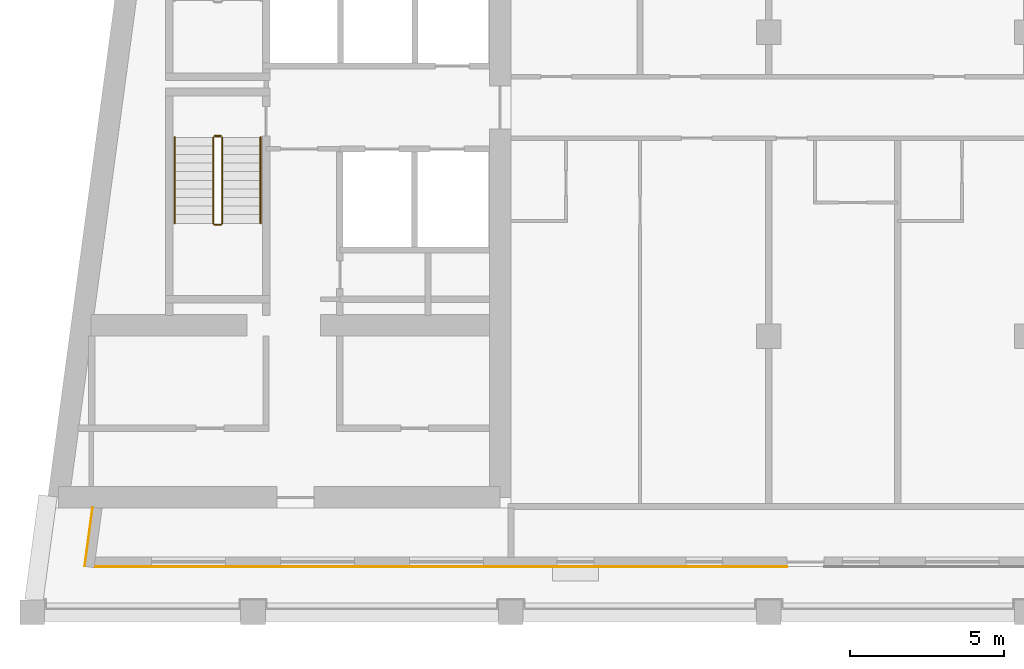
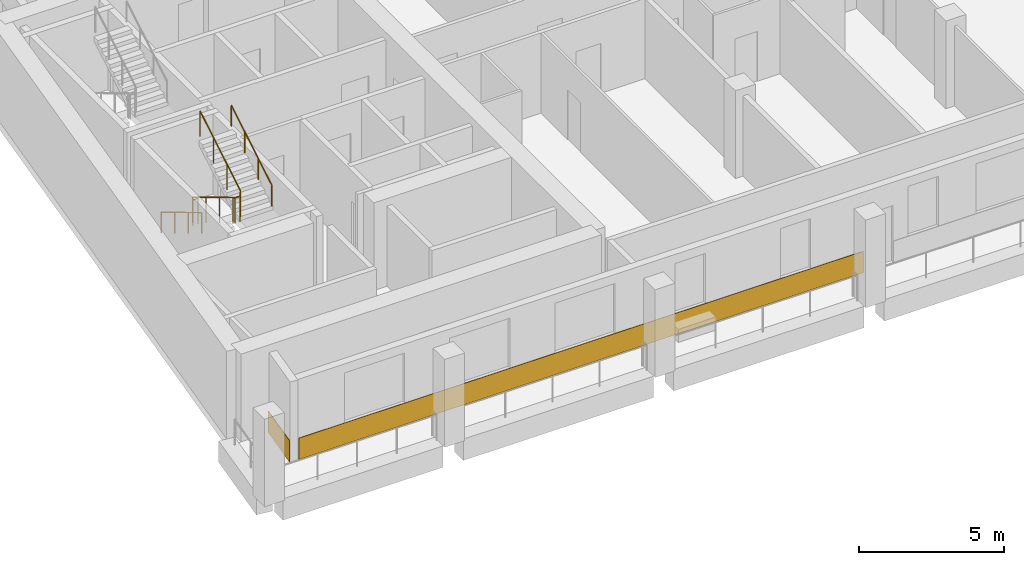
# One storey, part 8 of 14: 4 railings, 2 coverings.
"""IFC4 building model written with IfcOpenShell, lengths in metres."""

from ifc_helpers import new_model, si_unit, direction, frame, origin, origin_2d, place, context, subcontext, project, spatial, rectangle, circle, extrude, material, layer, layer_set, type_object, element, save


model = new_model("IFC4")

# Units and contexts
model_context = context("Model", 3, precision=1e-05, world=origin(), true_north=direction((0.0, 1.0)))
body_context = subcontext(model_context, "Body", "Model", "MODEL_VIEW")
ifc_project = project(units=[si_unit("LENGTHUNIT", "METRE"), si_unit("AREAUNIT", "SQUARE_METRE"), si_unit("VOLUMEUNIT", "CUBIC_METRE"), si_unit("PLANEANGLEUNIT", "RADIAN"), si_unit("MASSUNIT", "GRAM", prefix="KILO")], contexts=[model_context])

# Site, building, storey
site_placement = place(None, origin())
site = spatial("IfcSite", under=ifc_project, at=site_placement, CompositionType="ELEMENT")
building_placement = place(site_placement, origin())
building = spatial("IfcBuilding", under=site, at=building_placement, Name="Candeia Pilgrim Tower and Theatre", CompositionType="ELEMENT")
storey_placement = place(building_placement, frame((0.0, 0.0, 266.39990234375)))
storey = spatial("IfcBuildingStorey", under=building, at=storey_placement, Name="L64", CompositionType="ELEMENT", Elevation=266.39990234375)

# Coverings
ifc_material_1 = material(Name="Glazed ceramic tile bottle green")
ifc_layer = layer(ifc_material_1, 0.02001953125)
ifc_layer_set = layer_set([ifc_layer], Name="Glazed ceramic tile bottle green")
covering_type = type_object("IfcCoveringType", Name="Glazed ceramic tile bottle green", PredefinedType="CLADDING", material=ifc_layer_set)
covering_1_placement = place(storey_placement, frame((87.04638671875, 109.46142578125, 0.000244140625), z_axis=(0.0, 0.0, 1.0), x_axis=(-0.133412012145, -0.991060661622, 0.0)))
element("IfcCovering", 1, at=covering_1_placement, inside=storey, type_object=covering_type, Name="Tile cladding bottle green L64", PredefinedType="CLADDING", context=body_context, shape_type="SweptSolid", body=[
    extrude(rectangle(XDim=1.937255859375, YDim=0.02001953125, at=origin_2d()), origin(), (0.0, 0.0, 1.0), 0.89990234375),
])
covering_2_placement = place(storey_placement, frame((98.5341796875, 108.489990234375, 0.000244140625), z_axis=(0.0, 0.0, 1.0), x_axis=(1.0, 0.0, 0.0)))
element("IfcCovering", 2, at=covering_2_placement, inside=storey, type_object=covering_type, Name="Tile cladding bottle green L64", PredefinedType="CLADDING", context=body_context, shape_type="SweptSolid", body=[
    extrude(rectangle(XDim=22.531494140625, YDim=0.02001953125, at=origin_2d()), origin(), (0.0, 0.0, 1.0), 0.89990234375),
])

# Railings
ifc_material_2 = material(Name="Stainless steel balustrade", Category="steel")
railing_type_1 = type_object("IfcRailingType", Name="RL-GUARD-1100", PredefinedType="GUARDRAIL", material=ifc_material_2)
railing_1_placement = place(storey_placement, frame((91.10205078125, 122.47509765625, 0.168212890625)))
element("IfcRailing", 3, at=railing_1_placement, inside=storey, type_object=railing_type_1, Name="L64 ST1 stair guard 1", PredefinedType="GUARDRAIL", context=body_context, shape_type="SweptSolid", body=[
    extrude(circle(Radius=0.02392578125, at=origin_2d()), frame((0.0, 0.0, 1.076171875), z_axis=(0.0, -0.857242210791, 0.514913383045), x_axis=(1.0, 0.0, 0.0)), (0.0, 0.0, 1.0), 3.266357421875),
    extrude(circle(Radius=0.02392578125, at=origin_2d()), frame((0.0, -2.800048828125, 2.7578125), z_axis=(0.707106781187, -0.707106781187, 0.0), x_axis=(0.707106781187, 0.707106781187, 0.0)), (0.0, 0.0, 1.0), 0.07080078125),
    extrude(circle(Radius=0.02392578125, at=origin_2d()), frame((0.050048828125, -2.85009765625, 2.7578125), z_axis=(1.0, 0.0, 0.0), x_axis=(0.0, 1.0, 0.0)), (0.0, 0.0, 1.0), 0.199951171875),
    extrude(circle(Radius=0.02392578125, at=origin_2d()), frame((0.25, -2.85009765625, 2.7578125), z_axis=(0.274243871929, 0.274243871929, 0.92172696468), x_axis=(-0.707106781187, 0.707106781187, 0.0)), (0.0, 0.0, 1.0), 0.1826171875),
    extrude(circle(Radius=0.02392578125, at=origin_2d()), frame((0.300048828125, -2.800048828125, 2.92626953125), z_axis=(0.0, 0.857242210791, 0.514913383045), x_axis=(-1.0, 0.0, 0.0)), (0.0, 0.0, 1.0), 3.266357421875),
    extrude(circle(Radius=0.02099609375, at=origin_2d()), origin(), (0.0, 0.0, 1.0), 1.052001953125),
    extrude(circle(Radius=0.02099609375, at=origin_2d()), frame((0.0, -0.933349609375, 0.560546875)), (0.0, 0.0, 1.0), 1.052001953125),
    extrude(circle(Radius=0.02099609375, at=origin_2d()), frame((0.0, -1.86669921875, 1.121337890625)), (0.0, 0.0, 1.0), 1.052001953125),
    extrude(circle(Radius=0.02099609375, at=origin_2d()), frame((0.0, -2.800048828125, 1.681884765625)), (0.0, 0.0, 1.0), 1.052001953125),
    extrude(circle(Radius=0.02099609375, at=origin_2d()), frame((0.050048828125, -2.85009765625, 1.681884765625)), (0.0, 0.0, 1.0), 1.052001953125),
    extrude(circle(Radius=0.02099609375, at=origin_2d()), frame((0.25, -2.85009765625, 1.681884765625)), (0.0, 0.0, 1.0), 1.052001953125),
    extrude(circle(Radius=0.02099609375, at=origin_2d()), frame((0.300048828125, -2.800048828125, 1.85009765625)), (0.0, 0.0, 1.0), 1.052001953125),
    extrude(circle(Radius=0.02099609375, at=origin_2d()), frame((0.300048828125, -1.86669921875, 2.41064453125)), (0.0, 0.0, 1.0), 1.052001953125),
    extrude(circle(Radius=0.02099609375, at=origin_2d()), frame((0.300048828125, -0.933349609375, 2.971435546875)), (0.0, 0.0, 1.0), 1.052001953125),
    extrude(circle(Radius=0.02099609375, at=origin_2d()), frame((0.300048828125, 0.0, 3.531982421875)), (0.0, 0.0, 1.0), 1.052001953125),
])
railing_2_placement = place(storey_placement, frame((91.152099609375, 122.52490234375, 0.0)))
element("IfcRailing", 4, at=railing_2_placement, inside=storey, type_object=railing_type_1, Name="L64 ST1 stair guard 2", PredefinedType="GUARDRAIL", context=body_context, shape_type="SweptSolid", body=[
    extrude(circle(Radius=0.02392578125, at=origin_2d()), frame((0.0, 0.0, 1.076171875), z_axis=(1.0, 0.0, 0.0), x_axis=(0.0, 1.0, 0.0)), (0.0, 0.0, 1.0), 0.199951171875),
    extrude(circle(Radius=0.02099609375, at=origin_2d()), origin(), (0.0, 0.0, 1.0), 1.052001953125),
    extrude(circle(Radius=0.02099609375, at=origin_2d()), frame((0.199951171875, 0.0, 0.0)), (0.0, 0.0, 1.0), 1.052001953125),
])
ifc_material_3 = material(Name="Stainless steel handrail", Category="steel")
railing_type_2 = type_object("IfcRailingType", Name="RL-HANDRAIL-900", PredefinedType="HANDRAIL", material=ifc_material_3)
railing_3_placement = place(storey_placement, frame((89.85205078125, 122.47509765625, 0.168212890625)))
element("IfcRailing", 5, at=railing_3_placement, inside=storey, type_object=railing_type_2, Name="L64 ST1 stair handrail 1", PredefinedType="HANDRAIL", context=body_context, shape_type="SweptSolid", body=[
    extrude(circle(Radius=0.02392578125, at=origin_2d()), frame((0.0, 0.0, 0.8759765625), z_axis=(0.0, -0.857242210791, 0.514913383045), x_axis=(1.0, 0.0, 0.0)), (0.0, 0.0, 1.0), 3.266357421875),
    extrude(circle(Radius=0.02099609375, at=origin_2d()), origin(), (0.0, 0.0, 1.0), 0.851806640625),
    extrude(circle(Radius=0.02099609375, at=origin_2d()), frame((0.0, -0.933349609375, 0.560546875)), (0.0, 0.0, 1.0), 0.851806640625),
    extrude(circle(Radius=0.02099609375, at=origin_2d()), frame((0.0, -1.86669921875, 1.121337890625)), (0.0, 0.0, 1.0), 0.851806640625),
    extrude(circle(Radius=0.02099609375, at=origin_2d()), frame((0.0, -2.800048828125, 1.681884765625)), (0.0, 0.0, 1.0), 0.851806640625),
])
railing_4_placement = place(storey_placement, frame((92.652099609375, 119.675048828125, 2.018310546875)))
element("IfcRailing", 6, at=railing_4_placement, inside=storey, type_object=railing_type_2, Name="L64 ST1 stair handrail 2", PredefinedType="HANDRAIL", context=body_context, shape_type="SweptSolid", body=[
    extrude(circle(Radius=0.02392578125, at=origin_2d()), frame((0.0, 0.0, 0.8759765625), z_axis=(0.0, 0.857242210791, 0.514913383045), x_axis=(-1.0, 0.0, 0.0)), (0.0, 0.0, 1.0), 3.266357421875),
    extrude(circle(Radius=0.02099609375, at=origin_2d()), origin(), (0.0, 0.0, 1.0), 0.851806640625),
    extrude(circle(Radius=0.02099609375, at=origin_2d()), frame((0.0, 0.933349609375, 0.560546875)), (0.0, 0.0, 1.0), 0.851806640625),
    extrude(circle(Radius=0.02099609375, at=origin_2d()), frame((0.0, 1.86669921875, 1.121337890625)), (0.0, 0.0, 1.0), 0.851806640625),
    extrude(circle(Radius=0.02099609375, at=origin_2d()), frame((0.0, 2.800048828125, 1.681884765625)), (0.0, 0.0, 1.0), 0.851806640625),
])

save(model, "model.ifc")
